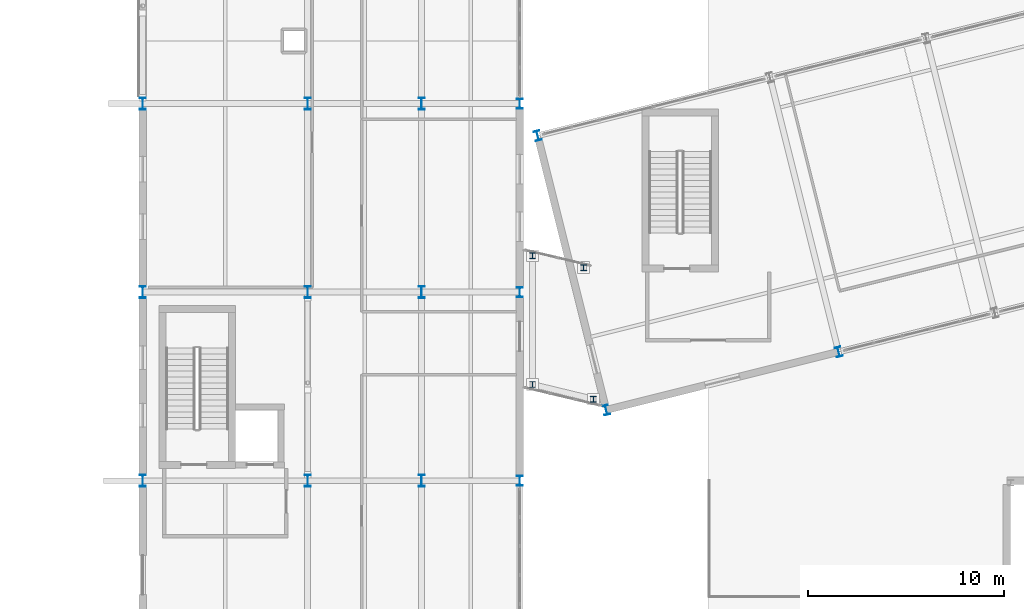
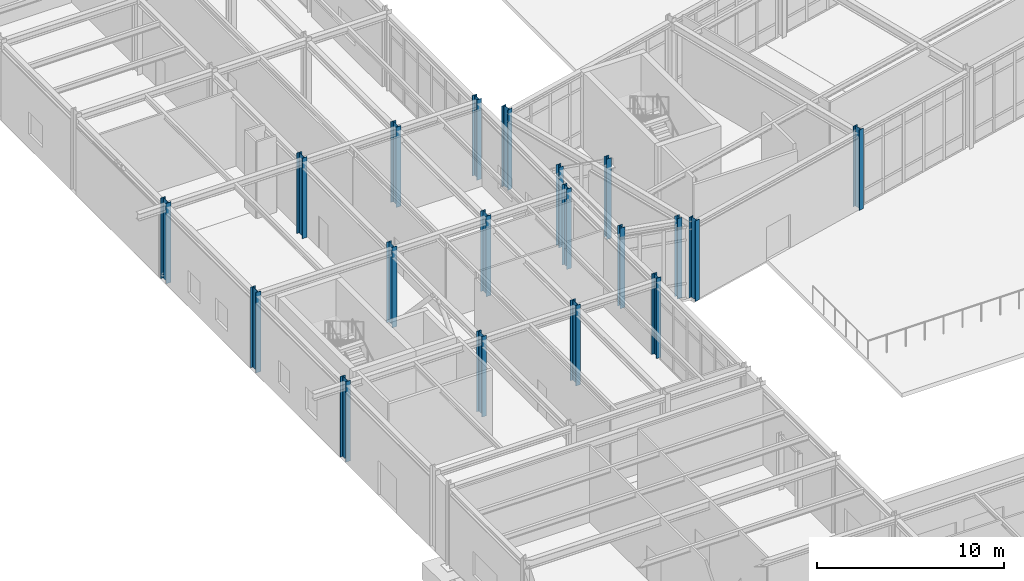
# One storey, part 6 of 109: 19 columns.
"""IFC4 building model written with IfcOpenShell, lengths in metres."""

from ifc_helpers import new_model, si_unit, direction, frame, origin, origin_2d, place, context, subcontext, project, spatial, i_section, extrude, material, material_profile, profile_set, type_object, element, save


model = new_model("IFC4")

# Units and contexts
model_context = context("Model", 3, precision=1e-05, world=origin(), true_north=direction((0.0, 1.0)))
body_context = subcontext(model_context, "Body", "Model", "MODEL_VIEW")
ifc_project = project(units=[si_unit("LENGTHUNIT", "METRE"), si_unit("AREAUNIT", "SQUARE_METRE"), si_unit("VOLUMEUNIT", "CUBIC_METRE"), si_unit("PLANEANGLEUNIT", "RADIAN"), si_unit("MASSUNIT", "GRAM", prefix="KILO")], contexts=[model_context])

# Site, building, storey
site_placement = place(None, origin())
site = spatial("IfcSite", under=ifc_project, at=site_placement, CompositionType="ELEMENT")
building_placement = place(site_placement, origin())
building = spatial("IfcBuilding", under=site, at=building_placement, Name="Nordkorset Police Headquarters", CompositionType="ELEMENT")
storey_placement = place(building_placement, origin())
storey = spatial("IfcBuildingStorey", under=building, at=storey_placement, Name="L00", CompositionType="ELEMENT", Elevation=0.0)

# Columns
ifc_material_1 = material(Name="Steel S355J2", Category="steel")
ifc_material_profile_1 = material_profile(ifc_material_1, i_section(OverallWidth=0.300048828125, OverallDepth=0.300048828125, WebThickness=0.010986328125, FlangeThickness=0.01904296875, FilletRadius=0.027099609375, at=origin_2d()), Name="HEB 300")
ifc_profile_set_1 = profile_set([ifc_material_profile_1], Name="Steel S355J2")
column_type_1 = type_object("IfcColumnType", Name="Col_HEB_300", PredefinedType="COLUMN", material=ifc_profile_set_1)
for number, where, z_axis, x_axis, name in (
    (1, (19.85009765625, 49.85009765625, 0.0), (0.0, 0.0, 1.0), (1.0, 0.0, 0.0), "Courtyard Link Bridge Column BRG_W_N L00"),
    (2, (19.85009765625, 43.300048828125, 0.0), (0.0, 0.0, 1.0), (1.0, 0.0, 0.0), "Courtyard Link Bridge Column BRG_W_S L00"),
    (3, (22.449951171875, 49.25, 0.0), (0.0, 0.0, 1.0), (1.0, 0.0, 0.0), "Courtyard Link Bridge Column BRG_W_E1 L00"),
    (4, (22.949951171875, 42.550048828125, 0.0), (0.0, 0.0, 1.0), (1.0, 0.0, 0.0), "Courtyard Link Bridge Column BRG_W_E2 L00"),
):
    element("IfcColumn", number, at=place(storey_placement, frame(where, z_axis=z_axis, x_axis=x_axis)), inside=storey, type_object=column_type_1, Name=name, PredefinedType="COLUMN", context=body_context, shape_type="SweptSolid", body=[
        extrude(i_section(OverallWidth=0.300048828125, OverallDepth=0.300048828125, WebThickness=0.010986328125, FlangeThickness=0.01904296875, FilletRadius=0.027099609375, at=origin_2d()), origin(), (0.0, 0.0, 1.0), 5.25),
    ])
ifc_material_2 = material(Name="Steel S355J2", Category="steel")
ifc_material_profile_2 = material_profile(ifc_material_2, i_section(OverallWidth=0.300048828125, OverallDepth=0.5, WebThickness=0.014404296875, FlangeThickness=0.028076171875, FilletRadius=0.027099609375, at=origin_2d()), Name="HEB 500")
ifc_profile_set_2 = profile_set([ifc_material_profile_2], Name="Steel S355J2")
column_type_2 = type_object("IfcColumnType", Name="Col_HEB_500", PredefinedType="COLUMN", material=ifc_profile_set_2)
for number, where, z_axis, x_axis, name in (
    (5, (19.199951171875, 38.39990234375, 0.0), (0.0, 0.0, 1.0), (1.0, 0.0, 0.0), "Structural Column V3_X3_1 L00"),
    (6, (19.199951171875, 48.0, 0.0), (0.0, 0.0, 1.0), (1.0, 0.0, 0.0), "Structural Column V3_X3_2 L00"),
    (7, (19.199951171875, 57.60009765625, 0.0), (0.0, 0.0, 1.0), (1.0, 0.0, 0.0), "Structural Column V3_X3_3 L00"),
    (8, (23.60009765625, 42.0, 0.0), (0.0, 0.0, 1.0), (0.970142500145, 0.242535625038, 0.0), "Structural Column V4_U0_V0 L00"),
    (9, (20.107421875, 55.969970703125, 0.0), (0.0, 0.0, 1.0), (0.970142500145, 0.242535625038, 0.0), "Structural Column V4_U0_V1 L00"),
    (10, (35.435791015625, 44.958984375, 0.0), (0.0, 0.0, 1.0), (0.970142500145, 0.242535625038, 0.0), "Structural Column V4_U1_V0 L00"),
):
    element("IfcColumn", number, at=place(storey_placement, frame(where, z_axis=z_axis, x_axis=x_axis)), inside=storey, type_object=column_type_2, Name=name, PredefinedType="COLUMN", context=body_context, shape_type="SweptSolid", body=[
        extrude(i_section(OverallWidth=0.300048828125, OverallDepth=0.5, WebThickness=0.014404296875, FlangeThickness=0.028076171875, FilletRadius=0.027099609375, at=origin_2d()), origin(), (0.0, 0.0, 1.0), 5.25),
    ])
ifc_material_3 = material(Name="Steel S355J2", Category="steel")
ifc_material_profile_3 = material_profile(ifc_material_3, i_section(OverallWidth=0.300048828125, OverallDepth=0.60009765625, WebThickness=0.015380859375, FlangeThickness=0.030029296875, FilletRadius=0.027099609375, at=origin_2d()), Name="HEB 600")
ifc_profile_set_3 = profile_set([ifc_material_profile_3], Name="Steel S355J2")
column_type_3 = type_object("IfcColumnType", Name="Col_HEB_600", PredefinedType="COLUMN", material=ifc_profile_set_3)
for number, where, z_axis, x_axis, name in (
    (11, (0.0, 38.39990234375, 0.0), (0.0, 0.0, 1.0), (1.0, 0.0, 0.0), "Structural Column V3_X0_1 L00"),
    (12, (8.39990234375, 38.39990234375, 0.0), (0.0, 0.0, 1.0), (1.0, 0.0, 0.0), "Structural Column V3_X1_1 L00"),
    (13, (14.199951171875, 38.39990234375, 0.0), (0.0, 0.0, 1.0), (1.0, 0.0, 0.0), "Structural Column V3_X2_1 L00"),
    (14, (0.0, 48.0, 0.0), (0.0, 0.0, 1.0), (1.0, 0.0, 0.0), "Structural Column V3_X0_2 L00"),
    (15, (8.39990234375, 48.0, 0.0), (0.0, 0.0, 1.0), (1.0, 0.0, 0.0), "Structural Column V3_X1_2 L00"),
    (16, (14.199951171875, 48.0, 0.0), (0.0, 0.0, 1.0), (1.0, 0.0, 0.0), "Structural Column V3_X2_2 L00"),
    (17, (0.0, 57.60009765625, 0.0), (0.0, 0.0, 1.0), (1.0, 0.0, 0.0), "Structural Column V3_X0_3 L00"),
    (18, (8.39990234375, 57.60009765625, 0.0), (0.0, 0.0, 1.0), (1.0, 0.0, 0.0), "Structural Column V3_X1_3 L00"),
    (19, (14.199951171875, 57.60009765625, 0.0), (0.0, 0.0, 1.0), (1.0, 0.0, 0.0), "Structural Column V3_X2_3 L00"),
):
    element("IfcColumn", number, at=place(storey_placement, frame(where, z_axis=z_axis, x_axis=x_axis)), inside=storey, type_object=column_type_3, Name=name, PredefinedType="COLUMN", context=body_context, shape_type="SweptSolid", body=[
        extrude(i_section(OverallWidth=0.300048828125, OverallDepth=0.60009765625, WebThickness=0.015380859375, FlangeThickness=0.030029296875, FilletRadius=0.027099609375, at=origin_2d()), origin(), (0.0, 0.0, 1.0), 5.25),
    ])

save(model, "model.ifc")
